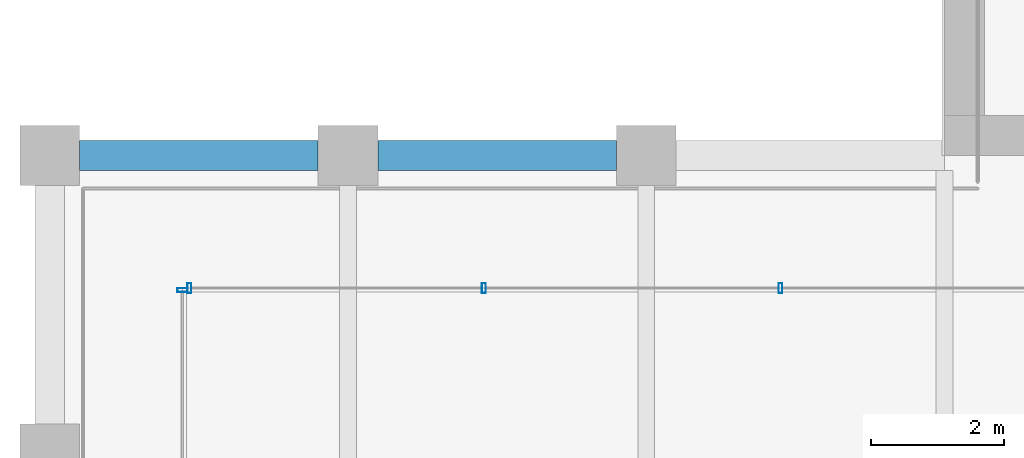
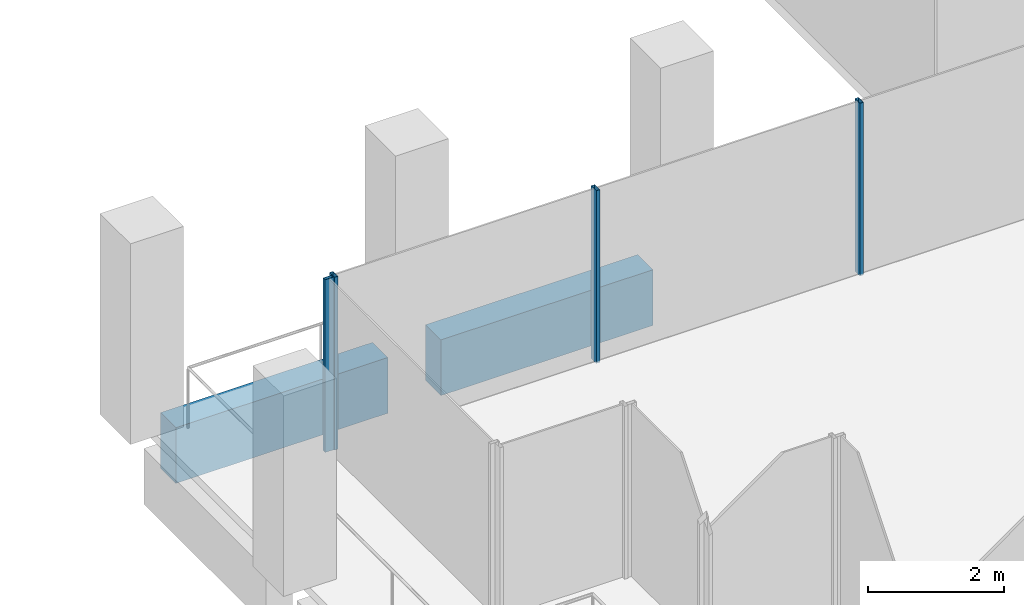
# One storey, part 5 of 40: 4 members, 2 beams, 2 elements without a shape of their own.
"""IFC4 building model written with IfcOpenShell, lengths in metres."""

from ifc_helpers import new_model, si_unit, direction, frame, origin, origin_2d, place, context, subcontext, project, spatial, rectangle, hollow_rectangle, extrude, material, material_profile, profile_set, type_object, element, aggregate, save


model = new_model("IFC4")

# Units and contexts
model_context = context("Model", 3, precision=1e-05, world=origin(), true_north=direction((0.0, 1.0)))
body_context = subcontext(model_context, "Body", "Model", "MODEL_VIEW")
ifc_project = project(units=[si_unit("LENGTHUNIT", "METRE"), si_unit("AREAUNIT", "SQUARE_METRE"), si_unit("VOLUMEUNIT", "CUBIC_METRE"), si_unit("PLANEANGLEUNIT", "RADIAN"), si_unit("MASSUNIT", "GRAM", prefix="KILO")], contexts=[model_context])

# Site, building, storey
site_placement = place(None, origin())
site = spatial("IfcSite", under=ifc_project, at=site_placement, CompositionType="ELEMENT")
building_placement = place(site_placement, origin())
building = spatial("IfcBuilding", under=site, at=building_placement, Name="Altepetl Exchange Towers", CompositionType="ELEMENT")
storey_placement = place(building_placement, frame((0.0, 0.0, 183.39990234375)))
storey = spatial("IfcBuildingStorey", under=building, at=storey_placement, Name="L46", CompositionType="ELEMENT", Elevation=183.39990234375)

# Curtain wall, members
ifc_material_1 = material(Name="Aluminium 6063-T6 glazing", Category="aluminium")
curtain_wall_type = type_object("IfcCurtainWallType", Name="Loggia glazing system", PredefinedType="NOTDEFINED", material=ifc_material_1)
curtain_wall_1_placement = place(storey_placement, origin())
curtain_wall_1 = element("IfcCurtainWall", 1, at=curtain_wall_1_placement, inside=storey, type_object=curtain_wall_type, Name="CW1 run", PredefinedType="NOTDEFINED")
ifc_material_2 = material(Name="Aluminium 6063-T6", Category="aluminium")
ifc_material_profile_1 = material_profile(ifc_material_2, hollow_rectangle(XDim=0.06005859375, YDim=0.14990234375, WallThickness=0.0029296875, at=origin_2d()), Name="Mullion 60x150 aluminium")
ifc_profile_set_1 = profile_set([ifc_material_profile_1], Name="Aluminium 6063-T6")
member_type = type_object("IfcMemberType", Name="Mullion 60x150 aluminium", PredefinedType="MULLION", material=ifc_profile_set_1)
member_1_placement = place(storey_placement, frame((38.02490234375, 38.5, 0.0), z_axis=(0.0, 0.0, 1.0), x_axis=(-1.0, 0.0, 0.0)))
member_1 = element("IfcMember", 2, at=member_1_placement, type_object=member_type, Name="MU1 mullion", PredefinedType="MULLION", context=body_context, shape_type="SweptSolid", body=[
    extrude(hollow_rectangle(XDim=0.06005859375, YDim=0.14990234375, WallThickness=0.0029296875, at=origin_2d()), origin(), (0.0, 0.0, 1.0), 3.10009765625),
])
member_2_placement = place(storey_placement, frame((33.550048828125, 38.5, 0.0), z_axis=(0.0, 0.0, 1.0), x_axis=(-1.0, 0.0, 0.0)))
member_2 = element("IfcMember", 3, at=member_2_placement, type_object=member_type, Name="MU1 mullion", PredefinedType="MULLION", context=body_context, shape_type="SweptSolid", body=[
    extrude(hollow_rectangle(XDim=0.06005859375, YDim=0.14990234375, WallThickness=0.0029296875, at=origin_2d()), origin(), (0.0, 0.0, 1.0), 3.10009765625),
])
member_3_placement = place(storey_placement, frame((29.10498046875, 38.5, 0.0), z_axis=(0.0, 0.0, 1.0), x_axis=(-1.0, 0.0, 0.0)))
member_3 = element("IfcMember", 4, at=member_3_placement, type_object=member_type, Name="MU1 mullion", PredefinedType="MULLION", context=body_context, shape_type="SweptSolid", body=[
    extrude(hollow_rectangle(XDim=0.06005859375, YDim=0.14990234375, WallThickness=0.0029296875, at=origin_2d()), origin(), (0.0, 0.0, 1.0), 3.10009765625),
])
aggregate(curtain_wall_1, [member_1, member_2, member_3])

# Curtain wall, member
curtain_wall_2_placement = place(storey_placement, origin())
curtain_wall_2 = element("IfcCurtainWall", 5, at=curtain_wall_2_placement, inside=storey, type_object=curtain_wall_type, Name="CW1 run", PredefinedType="NOTDEFINED")
member_4_placement = place(storey_placement, frame((29.0, 38.469970703125, 0.0), z_axis=(0.0, 0.0, 1.0), x_axis=(0.0, -1.0, 0.0)))
member_4 = element("IfcMember", 6, at=member_4_placement, type_object=member_type, Name="MU1 mullion", PredefinedType="MULLION", context=body_context, shape_type="SweptSolid", body=[
    extrude(hollow_rectangle(XDim=0.06005859375, YDim=0.14990234375, WallThickness=0.0029296875, at=origin_2d()), origin(), (0.0, 0.0, 1.0), 3.10009765625),
])
aggregate(curtain_wall_2, [member_4])

# Beams
ifc_material_3 = material(Name="Concrete C50/60 precast with tezontle facing", Category="concrete")
ifc_material_profile_2 = material_profile(ifc_material_3, rectangle(XDim=0.449951171875, YDim=1.0, at=origin_2d()), Name="450 x 1000")
ifc_profile_set_2 = profile_set([ifc_material_profile_2], Name="Concrete C50/60 precast with tezontle facing")
beam_type = type_object("IfcBeamType", Name="Spandrel beam 450x1000 tezontle", PredefinedType="SPANDREL", material=ifc_profile_set_2)
for number, where, z_axis, x_axis, name in (
    (7, (35.550048828125, 40.5, -0.64990234375), (-1.0, 0.0, 0.0), (0.0, -1.0, 0.0), "sp:A:L46:034"),
    (8, (31.050048828125, 40.5, -0.64990234375), (-1.0, 0.0, 0.0), (0.0, -1.0, 0.0), "sp:A:L46:035"),
):
    element("IfcBeam", number, at=place(storey_placement, frame(where, z_axis=z_axis, x_axis=x_axis)), inside=storey, type_object=beam_type, Name=name, PredefinedType="SPANDREL", context=body_context, shape_type="SweptSolid", body=[
        extrude(rectangle(XDim=0.449951171875, YDim=1.0, at=origin_2d()), origin(), (0.0, 0.0, 1.0), 3.60009765625),
    ])

save(model, "model.ifc")
